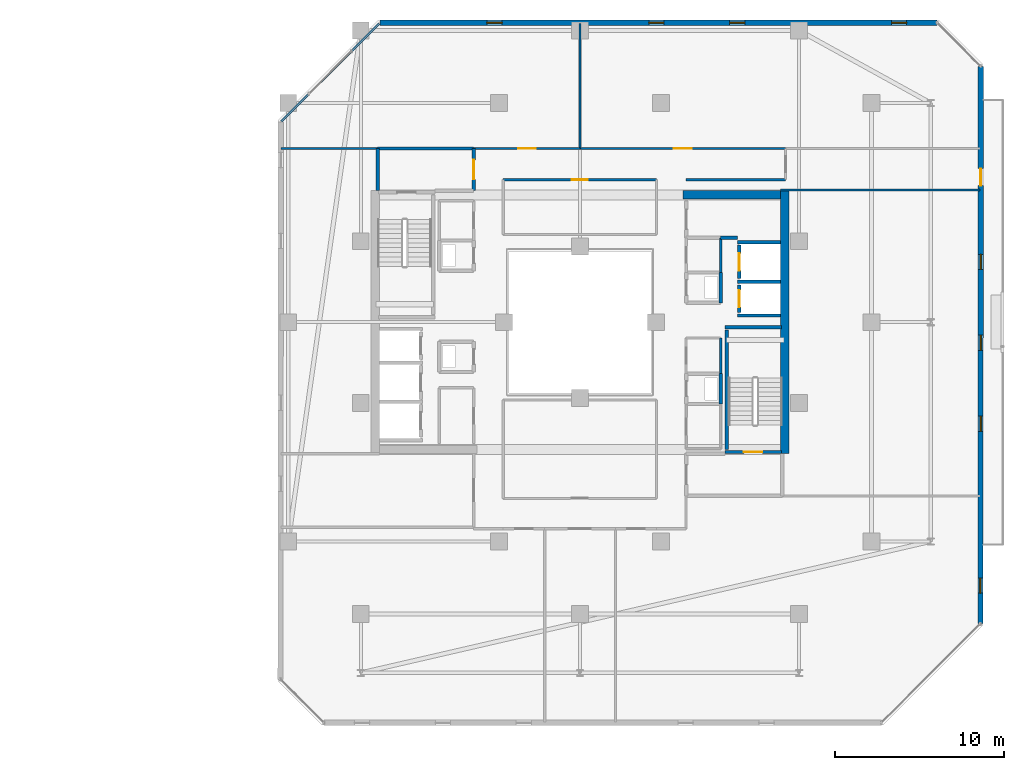
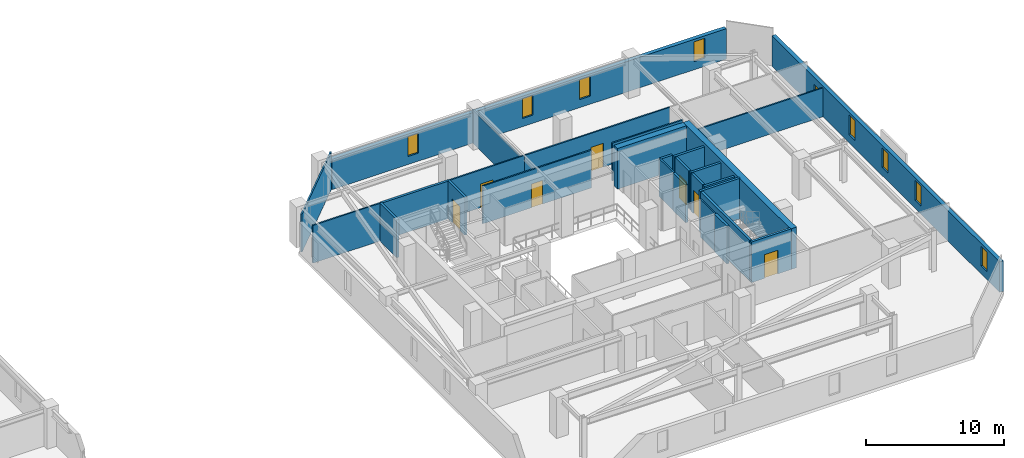
# One storey, part 23 of 31: 28 walls, 8 doors, 8 windows, 16 openings.
"""IFC4 building model written with IfcOpenShell, lengths in metres."""

from ifc_helpers import new_model, si_unit, direction, frame, frame_2d, origin, place, context, subcontext, project, spatial, rectangle, extrude, material, layer, layer_set, type_object, element, fill, save


model = new_model("IFC4")

# Units and contexts
model_context = context("Model", 3, precision=1e-05, world=origin(), true_north=direction((0.0, 1.0)))
body_context = subcontext(model_context, "Body", "Model", "MODEL_VIEW")
ifc_project = project(units=[si_unit("LENGTHUNIT", "METRE"), si_unit("AREAUNIT", "SQUARE_METRE"), si_unit("VOLUMEUNIT", "CUBIC_METRE"), si_unit("PLANEANGLEUNIT", "RADIAN"), si_unit("MASSUNIT", "GRAM", prefix="KILO")], contexts=[model_context])

# Site, building, storey
site_placement = place(None, origin())
site = spatial("IfcSite", under=ifc_project, at=site_placement, CompositionType="ELEMENT")
building_placement = place(site_placement, origin())
building = spatial("IfcBuilding", under=site, at=building_placement, Name="Thornwick Lancets Civic Towers", CompositionType="ELEMENT")
storey_placement = place(building_placement, frame((0.0, 0.0, 233.10009765625)))
storey = spatial("IfcBuildingStorey", under=building, at=storey_placement, Name="L62", CompositionType="ELEMENT", Elevation=233.10009765625)

# Wall, opening, door
ifc_material_1 = material(Name="Concrete blockwork C40/50", Category="masonry")
ifc_layer_1 = layer(ifc_material_1, 0.199951171875, Name="Concrete blockwork C40/50")
ifc_layer_set_1 = layer_set([ifc_layer_1], Name="Concrete blockwork C40/50")
wall_type_1 = type_object("IfcWallType", Name="WALL_COMP_200", PredefinedType="STANDARD", material=ifc_layer_set_1)
wall_1_placement = place(storey_placement, frame((97.949951171875, 29.219970703125, 0.0), z_axis=(0.0, 0.0, 1.0), x_axis=(0.0, -1.0, 0.0)))
wall_1 = element("IfcWall", 1, at=wall_1_placement, inside=storey, type_object=wall_type_1, Name="L62 Hoistway Front Wall FL-B1", PredefinedType="STANDARD", context=body_context, shape_type="SweptSolid", body=[
    extrude(rectangle(XDim=1.639892578125, YDim=0.199951171875, at=frame_2d((0.81982421875, 0.0))), origin(), (0.0, 0.0, 1.0), 3.33984375),
])
opening_1_placement = place(wall_1_placement, frame((0.31005859375, 0.0, 0.0)))
opening_1 = element("IfcOpeningElement", 2, at=opening_1_placement, cuts=wall_1, Name="Opening LD-FL-B1", PredefinedType="OPENING", context=body_context, shape_type="SweptSolid", body=[
    extrude(rectangle(XDim=1.02001953125, YDim=2.06005859375, at=frame_2d((0.510009765625, 1.030029296875))), frame((0.0, 0.10986328125, 0.0), z_axis=(0.0, -1.0, 0.0), x_axis=(1.0, 0.0, 0.0)), (0.0, 0.0, 1.0), 0.219970703125),
])
ifc_material_2 = material(Name="Brushed bronze stainless steel", Category="steel")
door_type_1 = type_object("IfcDoorType", Name="DOOR_LIFT_SLIDE", OperationType="SLIDING_TO_LEFT", PredefinedType="DOOR", material=ifc_material_2)
door_1_placement = place(opening_1_placement, origin())
door_1 = element("IfcDoor", 3, at=door_1_placement, inside=storey, type_object=door_type_1, Name="L62 Sliding Lift Landing Door LD-FL-B1", OperationType="SLIDING_TO_LEFT", OverallHeight=2.06005859375, OverallWidth=1.02001953125, PredefinedType="DOOR", context=body_context, shape_type="SweptSolid", body=[
    extrude(rectangle(XDim=1.02001953125, YDim=2.06005859375, at=frame_2d((0.510009765625, 1.030029296875))), frame((0.0, 0.02490234375, 0.0), z_axis=(0.0, -1.0, 0.0), x_axis=(1.0, 0.0, 0.0)), (0.0, 0.0, 1.0), 0.050048828125),
])
fill(opening_1, door_1)

wall_2_placement = place(storey_placement, frame((97.949951171875, 31.570068359375, 0.0), z_axis=(0.0, 0.0, 1.0), x_axis=(0.0, -1.0, 0.0)))
wall_2 = element("IfcWall", 4, at=wall_2_placement, inside=storey, type_object=wall_type_1, Name="L62 Hoistway Front Wall PL-BH1", PredefinedType="STANDARD", context=body_context, shape_type="SweptSolid", body=[
    extrude(rectangle(XDim=1.989990234375, YDim=0.199951171875, at=frame_2d((0.9951171875, 0.0))), origin(), (0.0, 0.0, 1.0), 3.33984375),
])
opening_2_placement = place(wall_2_placement, frame((0.485107421875, 0.0, 0.0)))
opening_2 = element("IfcOpeningElement", 5, at=opening_2_placement, cuts=wall_2, Name="Opening LD-PL-BH1", PredefinedType="OPENING", context=body_context, shape_type="SweptSolid", body=[
    extrude(rectangle(XDim=1.02001953125, YDim=2.06005859375, at=frame_2d((0.510009765625, 1.030029296875))), frame((0.0, 0.10986328125, 0.0), z_axis=(0.0, -1.0, 0.0), x_axis=(1.0, 0.0, 0.0)), (0.0, 0.0, 1.0), 0.219970703125),
])
door_2_placement = place(opening_2_placement, origin())
door_2 = element("IfcDoor", 6, at=door_2_placement, inside=storey, type_object=door_type_1, Name="L62 Sliding Lift Landing Door LD-PL-BH1", OperationType="SLIDING_TO_LEFT", OverallHeight=2.06005859375, OverallWidth=1.02001953125, PredefinedType="DOOR", context=body_context, shape_type="SweptSolid", body=[
    extrude(rectangle(XDim=1.02001953125, YDim=2.06005859375, at=frame_2d((0.510009765625, 1.030029296875))), frame((0.0, 0.02490234375, 0.0), z_axis=(0.0, -1.0, 0.0), x_axis=(1.0, 0.0, 0.0)), (0.0, 0.0, 1.0), 0.050048828125),
])
fill(opening_2, door_2)

# Walls
for number, where, z_axis, x_axis, name in (
    (7, (97.85205078125, 29.39990234375, 0.0), (0.0, 0.0, 1.0), (1.0, 0.0, 0.0), "L62 Hoistway Shaft Wall FL-B1 N"),
    (8, (97.85205078125, 27.39990234375, 0.0), (0.0, 0.0, 1.0), (1.0, 0.0, 0.0), "L62 Hoistway Shaft Wall FL-B1 S"),
    (9, (97.85205078125, 31.75, 0.0), (0.0, 0.0, 1.0), (1.0, 0.0, 0.0), "L62 Hoistway Shaft Wall PL-BH1 N"),
):
    element("IfcWall", number, at=place(storey_placement, frame(where, z_axis=z_axis, x_axis=x_axis)), inside=storey, type_object=wall_type_1, Name=name, PredefinedType="STANDARD", context=body_context, shape_type="SweptSolid", body=[
        extrude(rectangle(XDim=2.535888671875, YDim=0.199951171875, at=frame_2d((1.26806640625, 0.0))), origin(), (0.0, 0.0, 1.0), 3.33984375),
    ])

# Wall, opening, door
wall_3_placement = place(storey_placement, frame((82.199951171875, 34.800048828125, 0.0), z_axis=(0.0, 0.0, 1.0), x_axis=(0.0, 1.0, 0.0)))
wall_3 = element("IfcWall", 10, at=wall_3_placement, inside=storey, type_object=wall_type_1, Name="L62 Partition L62-B-FFLOB2 E2", PredefinedType="STANDARD", context=body_context, shape_type="SweptSolid", body=[
    extrude(rectangle(XDim=2.5, YDim=0.199951171875, at=frame_2d((1.25, 0.0))), origin(), (0.0, 0.0, 1.0), 3.33984375),
])
opening_3_placement = place(wall_3_placement, frame((0.675048828125, 0.0, 0.0)))
opening_3 = element("IfcOpeningElement", 11, at=opening_3_placement, cuts=wall_3, Name="Opening D-L62-2794", PredefinedType="OPENING", context=body_context, shape_type="SweptSolid", body=[
    extrude(rectangle(XDim=1.14990234375, YDim=2.10009765625, at=frame_2d((0.574951171875, 1.050048828125))), frame((0.0, 0.10986328125, 0.0), z_axis=(0.0, -1.0, 0.0), x_axis=(1.0, 0.0, 0.0)), (0.0, 0.0, 1.0), 0.219970703125),
])
ifc_material_3 = material(Name="Glazed fire-resisting steel", Category="steel")
door_type_2 = type_object("IfcDoorType", Name="DOOR_LOBBY_FD60", OperationType="NOTDEFINED", PredefinedType="DOOR", material=ifc_material_3)
door_3_placement = place(opening_3_placement, origin())
door_3 = element("IfcDoor", 12, at=door_3_placement, inside=storey, type_object=door_type_2, Name="L62 West Firefighting Lobby 2 Door", OperationType="SINGLE_SWING_LEFT", OverallHeight=2.10009765625, OverallWidth=1.14990234375, PredefinedType="DOOR", context=body_context, shape_type="SweptSolid", body=[
    extrude(rectangle(XDim=1.14990234375, YDim=2.10009765625, at=frame_2d((0.574951171875, 1.050048828125))), frame((0.0, 0.02490234375, 0.0), z_axis=(0.0, -1.0, 0.0), x_axis=(1.0, 0.0, 0.0)), (0.0, 0.0, 1.0), 0.050048828125),
])
fill(opening_3, door_3)

# Walls
wall_4_placement = place(storey_placement, frame((82.199951171875, 37.300048828125, 0.0), z_axis=(0.0, 0.0, 1.0), x_axis=(-1.0, 0.0, 0.0)))
element("IfcWall", 13, at=wall_4_placement, inside=storey, type_object=wall_type_1, Name="L62 Partition L62-B-FFLOB2 E3", PredefinedType="STANDARD", context=body_context, shape_type="SweptSolid", body=[
    extrude(rectangle(XDim=5.699951171875, YDim=0.199951171875, at=frame_2d((2.85009765625, 0.0))), origin(), (0.0, 0.0, 1.0), 3.33984375),
])
wall_5_placement = place(storey_placement, frame((76.5, 37.300048828125, 0.0), z_axis=(0.0, 0.0, 1.0), x_axis=(0.0, -1.0, 0.0)))
element("IfcWall", 14, at=wall_5_placement, inside=storey, type_object=wall_type_1, Name="L62 Partition L62-B-FFLOB2 E4", PredefinedType="STANDARD", context=body_context, shape_type="SweptSolid", body=[
    extrude(rectangle(XDim=2.5, YDim=0.199951171875, at=frame_2d((1.25, 0.0))), origin(), (0.0, 0.0, 1.0), 3.33984375),
])
for number, where, z_axis, x_axis, name in (
    (15, (96.85009765625, 28.14990234375, 0.0), (0.0, 0.0, 1.0), (0.0, 1.0, 0.0), "L62 Partition L62-B-DUCT1 E2"),
    (16, (96.85009765625, 22.14990234375, 0.0), (0.0, 0.0, 1.0), (0.0, 1.0, 0.0), "L62 Partition L62-B-RISER1 E2"),
):
    element("IfcWall", number, at=place(storey_placement, frame(where, z_axis=z_axis, x_axis=x_axis)), inside=storey, type_object=wall_type_1, Name=name, PredefinedType="STANDARD", context=body_context, shape_type="SweptSolid", body=[
        extrude(rectangle(XDim=1.800048828125, YDim=0.199951171875, at=frame_2d((0.89990234375, 0.0))), origin(), (0.0, 0.0, 1.0), 3.33984375),
    ])
wall_6_placement = place(storey_placement, frame((97.85205078125, 32.0, 0.0), z_axis=(0.0, 0.0, 1.0), x_axis=(-1.0, 0.0, 0.0)))
element("IfcWall", 17, at=wall_6_placement, inside=storey, type_object=wall_type_1, Name="L62 Partition L62-B-STR2 E4", PredefinedType="STANDARD", context=body_context, shape_type="SweptSolid", body=[
    extrude(rectangle(XDim=1.001953125, YDim=0.199951171875, at=frame_2d((0.5009765625, 0.0))), origin(), (0.0, 0.0, 1.0), 3.33984375),
])
ifc_material_4 = material(Name="Concrete C50/60", Category="concrete")
ifc_layer_2 = layer(ifc_material_4, 0.5, Name="Concrete C50/60")
ifc_layer_set_2 = layer_set([ifc_layer_2], Name="Concrete C50/60")
wall_type_2 = type_object("IfcWallType", Name="WALL_CORE_500", PredefinedType="SHEAR", material=ifc_layer_set_2)
wall_7_placement = place(storey_placement, frame((100.64990234375, 19.199951171875, 0.0), z_axis=(0.0, 0.0, 1.0), x_axis=(0.0, 1.0, 0.0)))
element("IfcWall", 18, at=wall_7_placement, inside=storey, type_object=wall_type_2, Name="L62 Split Core B1 Shear Wall E", PredefinedType="SHEAR", context=body_context, shape_type="SweptSolid", body=[
    extrude(rectangle(XDim=15.60009765625, YDim=0.5, at=frame_2d((7.800048828125, 0.0))), origin(), (0.0, 0.0, 1.0), 3.599853515625),
])
wall_8_placement = place(storey_placement, frame((94.60009765625, 34.550048828125, 0.0), z_axis=(0.0, 0.0, 1.0), x_axis=(1.0, 0.0, 0.0)))
element("IfcWall", 19, at=wall_8_placement, inside=storey, type_object=wall_type_2, Name="L62 Split Core B1 Shear Wall N", PredefinedType="SHEAR", context=body_context, shape_type="SweptSolid", body=[
    extrude(rectangle(XDim=5.7998046875, YDim=0.5, at=frame_2d((2.89990234375, 0.0))), origin(), (0.0, 0.0, 1.0), 3.599853515625),
])

# Wall, openings, door, windows
ifc_material_5 = material(Name="Insulated buff terracotta rainscreen on concrete C40/50", Category="masonry")
ifc_layer_3 = layer(ifc_material_5, 0.320068359375, Name="Insulated buff terracotta rainscreen on concrete C40/50")
ifc_layer_set_3 = layer_set([ifc_layer_3], Name="Insulated buff terracotta rainscreen on concrete C40/50")
wall_type_3 = type_object("IfcWallType", Name="WALL_EXT_TERRA_320", PredefinedType="STANDARD", material=ifc_layer_set_3)
wall_9_placement = place(storey_placement, frame((112.253662109375, 9.127685546875, 0.0), z_axis=(0.0, 0.0, 1.0), x_axis=(0.000332378036, 0.999999944762, 0.0)))
wall_9 = element("IfcWall", 20, at=wall_9_placement, inside=storey, type_object=wall_type_3, Name="L62 Tower B Terracotta Facade Wall E2", PredefinedType="STANDARD", context=body_context, shape_type="SweptSolid", body=[
    extrude(rectangle(XDim=33.0537109375, YDim=0.320068359375, at=frame_2d((16.52685546875, 0.0))), origin(), (0.0, 0.0, 1.0), 2.699951171875),
])
opening_4_placement = place(wall_9_placement, frame((25.976806640625, 0.0, 0.0)))
opening_4 = element("IfcOpeningElement", 21, at=opening_4_placement, cuts=wall_9, Name="Opening D-BL-L62-BE", PredefinedType="OPENING", context=body_context, shape_type="SweptSolid", body=[
    extrude(rectangle(XDim=1.0, YDim=2.080078125, at=frame_2d((0.5, 1.0400390625))), frame((0.0, 0.169921875, 0.0), z_axis=(0.0, -1.0, 0.0), x_axis=(1.0, 0.0, 0.0)), (0.0, 0.0, 1.0), 0.340087890625),
])
opening_5_placement = place(wall_9_placement, frame((1.800048828125, 0.0, 0.719970703125)))
opening_5 = element("IfcOpeningElement", 22, at=opening_5_placement, cuts=wall_9, Name="Opening WL-01", PredefinedType="OPENING", context=body_context, shape_type="SweptSolid", body=[
    extrude(rectangle(XDim=0.89990234375, YDim=1.75, at=frame_2d((0.449951171875, 0.875))), frame((0.0, 0.169921875, 0.0), z_axis=(0.0, -1.0, 0.0), x_axis=(1.0, 0.0, 0.0)), (0.0, 0.0, 1.0), 0.340087890625),
])
opening_6_placement = place(wall_9_placement, frame((11.39990234375, 0.0, 0.719970703125)))
opening_6 = element("IfcOpeningElement", 23, at=opening_6_placement, cuts=wall_9, Name="Opening WL-01", PredefinedType="OPENING", context=body_context, shape_type="SweptSolid", body=[
    extrude(rectangle(XDim=0.89990234375, YDim=1.75, at=frame_2d((0.449951171875, 0.875))), frame((0.0, 0.169921875, 0.0), z_axis=(0.0, -1.0, 0.0), x_axis=(1.0, 0.0, 0.0)), (0.0, 0.0, 1.0), 0.340087890625),
])
opening_7_placement = place(wall_9_placement, frame((16.199951171875, 0.0, 0.719970703125)))
opening_7 = element("IfcOpeningElement", 24, at=opening_7_placement, cuts=wall_9, Name="Opening WL-01", PredefinedType="OPENING", context=body_context, shape_type="SweptSolid", body=[
    extrude(rectangle(XDim=0.89990234375, YDim=1.75, at=frame_2d((0.449951171875, 0.875))), frame((0.0, 0.169921875, 0.0), z_axis=(0.0, -1.0, 0.0), x_axis=(1.0, 0.0, 0.0)), (0.0, 0.0, 1.0), 0.340087890625),
])
opening_8_placement = place(wall_9_placement, frame((21.0, 0.0, 0.719970703125)))
opening_8 = element("IfcOpeningElement", 25, at=opening_8_placement, cuts=wall_9, Name="Opening WL-01", PredefinedType="OPENING", context=body_context, shape_type="SweptSolid", body=[
    extrude(rectangle(XDim=0.89990234375, YDim=1.75, at=frame_2d((0.449951171875, 0.875))), frame((0.0, 0.169921875, 0.0), z_axis=(0.0, -1.0, 0.0), x_axis=(1.0, 0.0, 0.0)), (0.0, 0.0, 1.0), 0.340087890625),
])
ifc_material_6 = material(Name="Thermally broken glazed loggia doorset")
door_type_3 = type_object("IfcDoorType", Name="DOOR_BALC_1000", OperationType="NOTDEFINED", PredefinedType="DOOR", material=ifc_material_6)
door_4_placement = place(opening_4_placement, origin())
door_4 = element("IfcDoor", 26, at=door_4_placement, inside=storey, type_object=door_type_3, Name="L62 Tower B Loggia Balcony Door E", OperationType="SINGLE_SWING_LEFT", OverallHeight=2.080078125, OverallWidth=1.0, PredefinedType="DOOR", context=body_context, shape_type="SweptSolid", body=[
    extrude(rectangle(XDim=1.0, YDim=2.080078125, at=frame_2d((0.5, 1.0400390625))), frame((0.0, 0.02490234375, 0.0), z_axis=(0.0, -1.0, 0.0), x_axis=(1.0, 0.0, 0.0)), (0.0, 0.0, 1.0), 0.050048828125),
])
fill(opening_4, door_4)
ifc_material_7 = material(Name="Clear low-e double glazing in bronze frame", Category="glass")
window_type = type_object("IfcWindowType", Name="WIN_LANCET_900", PartitioningType="SINGLE_PANEL", PredefinedType="WINDOW", material=ifc_material_7)
window_1_placement = place(opening_5_placement, origin())
window_1 = element("IfcWindow", 27, at=window_1_placement, inside=storey, type_object=window_type, Name="L62 Tower B Staggered Lancet Window E2-1", OverallHeight=1.75, OverallWidth=0.89990234375, PartitioningType="SINGLE_PANEL", PredefinedType="WINDOW", context=body_context, shape_type="SweptSolid", body=[
    extrude(rectangle(XDim=0.89990234375, YDim=1.75, at=frame_2d((0.449951171875, 0.875))), frame((0.0, 0.030029296875, 0.0), z_axis=(0.0, -1.0, 0.0), x_axis=(1.0, 0.0, 0.0)), (0.0, 0.0, 1.0), 0.06005859375),
])
fill(opening_5, window_1)
window_2_placement = place(opening_6_placement, origin())
window_2 = element("IfcWindow", 28, at=window_2_placement, inside=storey, type_object=window_type, Name="L62 Tower B Staggered Lancet Window E2-2", OverallHeight=1.75, OverallWidth=0.89990234375, PartitioningType="SINGLE_PANEL", PredefinedType="WINDOW", context=body_context, shape_type="SweptSolid", body=[
    extrude(rectangle(XDim=0.89990234375, YDim=1.75, at=frame_2d((0.449951171875, 0.875))), frame((0.0, 0.030029296875, 0.0), z_axis=(0.0, -1.0, 0.0), x_axis=(1.0, 0.0, 0.0)), (0.0, 0.0, 1.0), 0.06005859375),
])
fill(opening_6, window_2)
window_3_placement = place(opening_7_placement, origin())
window_3 = element("IfcWindow", 29, at=window_3_placement, inside=storey, type_object=window_type, Name="L62 Tower B Staggered Lancet Window E2-3", OverallHeight=1.75, OverallWidth=0.89990234375, PartitioningType="SINGLE_PANEL", PredefinedType="WINDOW", context=body_context, shape_type="SweptSolid", body=[
    extrude(rectangle(XDim=0.89990234375, YDim=1.75, at=frame_2d((0.449951171875, 0.875))), frame((0.0, 0.030029296875, 0.0), z_axis=(0.0, -1.0, 0.0), x_axis=(1.0, 0.0, 0.0)), (0.0, 0.0, 1.0), 0.06005859375),
])
fill(opening_7, window_3)
window_4_placement = place(opening_8_placement, origin())
window_4 = element("IfcWindow", 30, at=window_4_placement, inside=storey, type_object=window_type, Name="L62 Tower B Staggered Lancet Window E2-4", OverallHeight=1.75, OverallWidth=0.89990234375, PartitioningType="SINGLE_PANEL", PredefinedType="WINDOW", context=body_context, shape_type="SweptSolid", body=[
    extrude(rectangle(XDim=0.89990234375, YDim=1.75, at=frame_2d((0.449951171875, 0.875))), frame((0.0, 0.030029296875, 0.0), z_axis=(0.0, -1.0, 0.0), x_axis=(1.0, 0.0, 0.0)), (0.0, 0.0, 1.0), 0.06005859375),
])
fill(opening_8, window_4)

# Wall, openings, windows
wall_10_placement = place(storey_placement, frame((109.681396484375, 44.7646484375, 0.0), z_axis=(0.0, 0.0, 1.0), x_axis=(-0.999999944762, -0.000332378036, 0.0)))
wall_10 = element("IfcWall", 31, at=wall_10_placement, inside=storey, type_object=wall_type_3, Name="L62 Tower B Terracotta Facade Wall E4", PredefinedType="STANDARD", context=body_context, shape_type="SweptSolid", body=[
    extrude(rectangle(XDim=33.0537109375, YDim=0.320068359375, at=frame_2d((16.52685546875, 0.0))), origin(), (0.0, 0.0, 1.0), 2.699951171875),
])
opening_9_placement = place(wall_10_placement, frame((1.800048828125, 0.0, 0.719970703125)))
opening_9 = element("IfcOpeningElement", 32, at=opening_9_placement, cuts=wall_10, Name="Opening WL-01", PredefinedType="OPENING", context=body_context, shape_type="SweptSolid", body=[
    extrude(rectangle(XDim=0.89990234375, YDim=1.75, at=frame_2d((0.449951171875, 0.875))), frame((0.0, 0.169921875, 0.0), z_axis=(0.0, -1.0, 0.0), x_axis=(1.0, 0.0, 0.0)), (0.0, 0.0, 1.0), 0.340087890625),
])
opening_10_placement = place(wall_10_placement, frame((11.39990234375, 0.0, 0.719970703125)))
opening_10 = element("IfcOpeningElement", 33, at=opening_10_placement, cuts=wall_10, Name="Opening WL-01", PredefinedType="OPENING", context=body_context, shape_type="SweptSolid", body=[
    extrude(rectangle(XDim=0.89990234375, YDim=1.75, at=frame_2d((0.449951171875, 0.875))), frame((0.0, 0.169921875, 0.0), z_axis=(0.0, -1.0, 0.0), x_axis=(1.0, 0.0, 0.0)), (0.0, 0.0, 1.0), 0.340087890625),
])
opening_11_placement = place(wall_10_placement, frame((16.199951171875, 0.0, 0.719970703125)))
opening_11 = element("IfcOpeningElement", 34, at=opening_11_placement, cuts=wall_10, Name="Opening WL-01", PredefinedType="OPENING", context=body_context, shape_type="SweptSolid", body=[
    extrude(rectangle(XDim=0.89990234375, YDim=1.75, at=frame_2d((0.449951171875, 0.875))), frame((0.0, 0.169921875, 0.0), z_axis=(0.0, -1.0, 0.0), x_axis=(1.0, 0.0, 0.0)), (0.0, 0.0, 1.0), 0.340087890625),
])
opening_12_placement = place(wall_10_placement, frame((25.800048828125, 0.0, 0.719970703125)))
opening_12 = element("IfcOpeningElement", 35, at=opening_12_placement, cuts=wall_10, Name="Opening WL-01", PredefinedType="OPENING", context=body_context, shape_type="SweptSolid", body=[
    extrude(rectangle(XDim=0.89990234375, YDim=1.75, at=frame_2d((0.449951171875, 0.875))), frame((0.0, 0.169921875, 0.0), z_axis=(0.0, -1.0, 0.0), x_axis=(1.0, 0.0, 0.0)), (0.0, 0.0, 1.0), 0.340087890625),
])
window_5_placement = place(opening_9_placement, origin())
window_5 = element("IfcWindow", 36, at=window_5_placement, inside=storey, type_object=window_type, Name="L62 Tower B Staggered Lancet Window E4-1", OverallHeight=1.75, OverallWidth=0.89990234375, PartitioningType="SINGLE_PANEL", PredefinedType="WINDOW", context=body_context, shape_type="SweptSolid", body=[
    extrude(rectangle(XDim=0.89990234375, YDim=1.75, at=frame_2d((0.449951171875, 0.875))), frame((0.0, 0.030029296875, 0.0), z_axis=(0.0, -1.0, 0.0), x_axis=(1.0, 0.0, 0.0)), (0.0, 0.0, 1.0), 0.06005859375),
])
fill(opening_9, window_5)
window_6_placement = place(opening_10_placement, origin())
window_6 = element("IfcWindow", 37, at=window_6_placement, inside=storey, type_object=window_type, Name="L62 Tower B Staggered Lancet Window E4-2", OverallHeight=1.75, OverallWidth=0.89990234375, PartitioningType="SINGLE_PANEL", PredefinedType="WINDOW", context=body_context, shape_type="SweptSolid", body=[
    extrude(rectangle(XDim=0.89990234375, YDim=1.75, at=frame_2d((0.449951171875, 0.875))), frame((0.0, 0.030029296875, 0.0), z_axis=(0.0, -1.0, 0.0), x_axis=(1.0, 0.0, 0.0)), (0.0, 0.0, 1.0), 0.06005859375),
])
fill(opening_10, window_6)
window_7_placement = place(opening_11_placement, origin())
window_7 = element("IfcWindow", 38, at=window_7_placement, inside=storey, type_object=window_type, Name="L62 Tower B Staggered Lancet Window E4-3", OverallHeight=1.75, OverallWidth=0.89990234375, PartitioningType="SINGLE_PANEL", PredefinedType="WINDOW", context=body_context, shape_type="SweptSolid", body=[
    extrude(rectangle(XDim=0.89990234375, YDim=1.75, at=frame_2d((0.449951171875, 0.875))), frame((0.0, 0.030029296875, 0.0), z_axis=(0.0, -1.0, 0.0), x_axis=(1.0, 0.0, 0.0)), (0.0, 0.0, 1.0), 0.06005859375),
])
fill(opening_11, window_7)
window_8_placement = place(opening_12_placement, origin())
window_8 = element("IfcWindow", 39, at=window_8_placement, inside=storey, type_object=window_type, Name="L62 Tower B Staggered Lancet Window E4-4", OverallHeight=1.75, OverallWidth=0.89990234375, PartitioningType="SINGLE_PANEL", PredefinedType="WINDOW", context=body_context, shape_type="SweptSolid", body=[
    extrude(rectangle(XDim=0.89990234375, YDim=1.75, at=frame_2d((0.449951171875, 0.875))), frame((0.0, 0.030029296875, 0.0), z_axis=(0.0, -1.0, 0.0), x_axis=(1.0, 0.0, 0.0)), (0.0, 0.0, 1.0), 0.06005859375),
])
fill(opening_12, window_8)

# Walls
ifc_material_8 = material(Name="Acoustic gypsum board partition")
ifc_layer_4 = layer(ifc_material_8, 0.1201171875, Name="Acoustic gypsum board partition")
ifc_layer_set_4 = layer_set([ifc_layer_4], Name="Acoustic gypsum board partition")
wall_type_4 = type_object("IfcWallType", Name="WALL_PART_120", PredefinedType="PARTITIONING", material=ifc_layer_set_4)
wall_11_placement = place(storey_placement, frame((96.85009765625, 26.050048828125, 0.0), z_axis=(0.0, 0.0, 1.0), x_axis=(0.0, -1.0, 0.0)))
element("IfcWall", 40, at=wall_11_placement, inside=storey, type_object=wall_type_4, Name="L62 Partition L62-B-ITR E3", PredefinedType="PARTITIONING", context=body_context, shape_type="SweptSolid", body=[
    extrude(rectangle(XDim=2.10009765625, YDim=0.1201171875, at=frame_2d((1.050048828125, 0.0))), origin(), (0.0, 0.0, 1.0), 3.33984375),
])
wall_12_placement = place(storey_placement, frame((94.800048828125, 35.449951171875, 0.0), z_axis=(0.0, 0.0, 1.0), x_axis=(1.0, 0.0, 0.0)))
element("IfcWall", 41, at=wall_12_placement, inside=storey, type_object=wall_type_4, Name="L62 Partition L62-B-RECLAIM-L E2", PredefinedType="PARTITIONING", context=body_context, shape_type="SweptSolid", body=[
    extrude(rectangle(XDim=5.89990234375, YDim=0.1201171875, at=frame_2d((2.949951171875, 0.0))), origin(), (0.0, 0.0, 1.0), 3.33984375),
])
wall_13_placement = place(storey_placement, frame((112.219970703125, 34.85009765625, 0.0), z_axis=(0.0, 0.0, 1.0), x_axis=(-1.0, 0.0, 0.0)))
element("IfcWall", 42, at=wall_13_placement, inside=storey, type_object=wall_type_4, Name="L62 Partition L62-B-RECLAIM-L E6", PredefinedType="PARTITIONING", context=body_context, shape_type="SweptSolid", body=[
    extrude(rectangle(XDim=11.820068359375, YDim=0.1201171875, at=frame_2d((5.91015625, 0.0))), origin(), (0.0, 0.0, 1.0), 2.544921875),
])

# Wall, opening, door
wall_14_placement = place(storey_placement, frame((100.699951171875, 37.300048828125, 0.0), z_axis=(0.0, 0.0, 1.0), x_axis=(-1.0, 0.0, 0.0)))
wall_14 = element("IfcWall", 43, at=wall_14_placement, inside=storey, type_object=wall_type_4, Name="L62 Partition L62-B-E1 E1", PredefinedType="PARTITIONING", context=body_context, shape_type="SweptSolid", body=[
    extrude(rectangle(XDim=12.199951171875, YDim=0.1201171875, at=frame_2d((6.10009765625, 0.0))), origin(), (0.0, 0.0, 1.0), 3.33984375),
])
opening_13_placement = place(wall_14_placement, frame((5.574951171875, 0.0, 0.0)))
opening_13 = element("IfcOpeningElement", 44, at=opening_13_placement, cuts=wall_14, Name="Opening D-L62-2820", PredefinedType="OPENING", context=body_context, shape_type="SweptSolid", body=[
    extrude(rectangle(XDim=1.050048828125, YDim=2.10009765625, at=frame_2d((0.52490234375, 1.050048828125))), frame((0.0, 0.070068359375, 0.0), z_axis=(0.0, -1.0, 0.0), x_axis=(1.0, 0.0, 0.0)), (0.0, 0.0, 1.0), 0.14013671875),
])
ifc_material_9 = material(Name="Glazed European oak executive doorset")
door_type_4 = type_object("IfcDoorType", Name="DOOR_OFFICE_1050", OperationType="NOTDEFINED", PredefinedType="DOOR", material=ifc_material_9)
door_5_placement = place(opening_13_placement, origin())
door_5 = element("IfcDoor", 45, at=door_5_placement, inside=storey, type_object=door_type_4, Name="L62 Tower B Secretariat Open Office E1 Door", OperationType="SINGLE_SWING_LEFT", OverallHeight=2.10009765625, OverallWidth=1.050048828125, PredefinedType="DOOR", context=body_context, shape_type="SweptSolid", body=[
    extrude(rectangle(XDim=1.050048828125, YDim=2.10009765625, at=frame_2d((0.52490234375, 1.050048828125))), frame((0.0, 0.02490234375, 0.0), z_axis=(0.0, -1.0, 0.0), x_axis=(1.0, 0.0, 0.0)), (0.0, 0.0, 1.0), 0.050048828125),
])
fill(opening_13, door_5)

# Walls
wall_15_placement = place(storey_placement, frame((88.5, 37.300048828125, 0.0), z_axis=(0.0, 0.0, 1.0), x_axis=(0.0, 1.0, 0.0)))
element("IfcWall", 46, at=wall_15_placement, inside=storey, type_object=wall_type_4, Name="L62 Partition L62-B-E1 E2", PredefinedType="PARTITIONING", context=body_context, shape_type="SweptSolid", body=[
    extrude(rectangle(XDim=7.419921875, YDim=0.1201171875, at=frame_2d((3.7099609375, 0.0))), origin(), (0.0, 0.0, 1.0), 2.93212890625),
])
wall_16_placement = place(storey_placement, frame((76.5, 37.300048828125, 0.0), z_axis=(0.0, 0.0, 1.0), x_axis=(-1.0, 0.0, 0.0)))
element("IfcWall", 47, at=wall_16_placement, inside=storey, type_object=wall_type_4, Name="L62 Partition L62-B-E2 E2", PredefinedType="PARTITIONING", context=body_context, shape_type="SweptSolid", body=[
    extrude(rectangle(XDim=5.719970703125, YDim=0.1201171875, at=frame_2d((2.85986328125, 0.0))), origin(), (0.0, 0.0, 1.0), 3.33984375),
])
wall_17_placement = place(storey_placement, frame((70.780029296875, 38.90234375, 0.0), z_axis=(0.0, 0.0, 1.0), x_axis=(0.707106781187, 0.707106781187, 0.0)))
element("IfcWall", 48, at=wall_17_placement, inside=storey, type_object=wall_type_4, Name="L62 Partition L62-B-E2 E4", PredefinedType="PARTITIONING", context=body_context, shape_type="SweptSolid", body=[
    extrude(rectangle(XDim=8.227294921875, YDim=0.1201171875, at=frame_2d((4.11376953125, 0.0))), origin(), (0.0, 0.0, 1.0), 3.33984375),
])

# Wall, opening, door
wall_18_placement = place(storey_placement, frame((88.5, 37.300048828125, 0.0), z_axis=(0.0, 0.0, 1.0), x_axis=(-1.0, 0.0, 0.0)))
wall_18 = element("IfcWall", 49, at=wall_18_placement, inside=storey, type_object=wall_type_4, Name="L62 Partition L62-B-E2 E7", PredefinedType="PARTITIONING", context=body_context, shape_type="SweptSolid", body=[
    extrude(rectangle(XDim=6.300048828125, YDim=0.1201171875, at=frame_2d((3.14990234375, 0.0))), origin(), (0.0, 0.0, 1.0), 3.33984375),
])
opening_14_placement = place(wall_18_placement, frame((2.625, 0.0, 0.0)))
opening_14 = element("IfcOpeningElement", 50, at=opening_14_placement, cuts=wall_18, Name="Opening D-L62-2821", PredefinedType="OPENING", context=body_context, shape_type="SweptSolid", body=[
    extrude(rectangle(XDim=1.050048828125, YDim=2.10009765625, at=frame_2d((0.52490234375, 1.050048828125))), frame((0.0, 0.070068359375, 0.0), z_axis=(0.0, -1.0, 0.0), x_axis=(1.0, 0.0, 0.0)), (0.0, 0.0, 1.0), 0.14013671875),
])
door_6_placement = place(opening_14_placement, origin())
door_6 = element("IfcDoor", 51, at=door_6_placement, inside=storey, type_object=door_type_4, Name="L62 Tower B Visitors Reception and Waiting Door", OperationType="SINGLE_SWING_RIGHT", OverallHeight=2.10009765625, OverallWidth=1.050048828125, PredefinedType="DOOR", context=body_context, shape_type="SweptSolid", body=[
    extrude(rectangle(XDim=1.050048828125, YDim=2.10009765625, at=frame_2d((0.52490234375, 1.050048828125))), frame((0.0, 0.02490234375, 0.0), z_axis=(0.0, -1.0, 0.0), x_axis=(1.0, 0.0, 0.0)), (0.0, 0.0, 1.0), 0.050048828125),
])
fill(opening_14, door_6)

wall_19_placement = place(storey_placement, frame((83.949951171875, 35.449951171875, 0.0), z_axis=(0.0, 0.0, 1.0), x_axis=(1.0, 0.0, 0.0)))
wall_19 = element("IfcWall", 52, at=wall_19_placement, inside=storey, type_object=wall_type_4, Name="L62 Partition L62-B-E-ATRIUM-OFF E2", PredefinedType="PARTITIONING", context=body_context, shape_type="SweptSolid", body=[
    extrude(rectangle(XDim=9.10009765625, YDim=0.1201171875, at=frame_2d((4.550048828125, 0.0))), origin(), (0.0, 0.0, 1.0), 3.33984375),
])
opening_15_placement = place(wall_19_placement, frame((4.074951171875, 0.0, 0.0)))
opening_15 = element("IfcOpeningElement", 53, at=opening_15_placement, cuts=wall_19, Name="Opening D-L62-2822", PredefinedType="OPENING", context=body_context, shape_type="SweptSolid", body=[
    extrude(rectangle(XDim=0.949951171875, YDim=2.10009765625, at=frame_2d((0.47509765625, 1.050048828125))), frame((0.0, 0.070068359375, 0.0), z_axis=(0.0, -1.0, 0.0), x_axis=(1.0, 0.0, 0.0)), (0.0, 0.0, 1.0), 0.14013671875),
])
ifc_material_10 = material(Name="European oak acoustic doorset")
door_type_5 = type_object("IfcDoorType", Name="DOOR_OFFICE_950", OperationType="NOTDEFINED", PredefinedType="DOOR", material=ifc_material_10)
door_7_placement = place(opening_15_placement, origin())
door_7 = element("IfcDoor", 54, at=door_7_placement, inside=storey, type_object=door_type_5, Name="L62 Tower B Atrium Policy Office Door", OperationType="SINGLE_SWING_LEFT", OverallHeight=2.10009765625, OverallWidth=0.949951171875, PredefinedType="DOOR", context=body_context, shape_type="SweptSolid", body=[
    extrude(rectangle(XDim=0.949951171875, YDim=2.10009765625, at=frame_2d((0.47509765625, 1.050048828125))), frame((0.0, 0.02490234375, 0.0), z_axis=(0.0, -1.0, 0.0), x_axis=(1.0, 0.0, 0.0)), (0.0, 0.0, 1.0), 0.050048828125),
])
fill(opening_15, door_7)

# Wall
ifc_material_11 = material(Name="Twin-stud acoustic gypsum board")
ifc_layer_5 = layer(ifc_material_11, 0.14990234375, Name="Twin-stud acoustic gypsum board")
ifc_layer_set_5 = layer_set([ifc_layer_5], Name="Twin-stud acoustic gypsum board")
wall_type_5 = type_object("IfcWallType", Name="WALL_PART_150", PredefinedType="PARTITIONING", material=ifc_layer_set_5)
wall_20_placement = place(storey_placement, frame((96.85009765625, 32.0, 0.0), z_axis=(0.0, 0.0, 1.0), x_axis=(0.0, -1.0, 0.0)))
element("IfcWall", 55, at=wall_20_placement, inside=storey, type_object=wall_type_5, Name="L62 Partition L62-B-AWC E3", PredefinedType="PARTITIONING", context=body_context, shape_type="SweptSolid", body=[
    extrude(rectangle(XDim=2.050048828125, YDim=0.14990234375, at=frame_2d((1.02490234375, 0.0))), origin(), (0.0, 0.0, 1.0), 3.33984375),
])

# Wall, opening, door
ifc_material_12 = material(Name="Concrete C40/50", Category="concrete")
ifc_layer_6 = layer(ifc_material_12, 0.199951171875, Name="Concrete C40/50")
ifc_layer_set_6 = layer_set([ifc_layer_6], Name="Concrete C40/50")
wall_type_6 = type_object("IfcWallType", Name="WALL_SHAFT_200", PredefinedType="SHEAR", material=ifc_layer_set_6)
wall_21_placement = place(storey_placement, frame((100.449951171875, 19.300048828125, 0.0), z_axis=(0.0, 0.0, 1.0), x_axis=(-1.0, 0.0, 0.0)))
wall_21 = element("IfcWall", 56, at=wall_21_placement, inside=storey, type_object=wall_type_6, Name="L62 ST-B1 Fire Stair Core Wall NEAR", PredefinedType="SHEAR", context=body_context, shape_type="SweptSolid", body=[
    extrude(rectangle(XDim=3.349853515625, YDim=0.199951171875, at=frame_2d((1.6748046875, 0.0))), origin(), (0.0, 0.0, 1.0), 3.599853515625),
])
opening_16_placement = place(wall_21_placement, frame((1.125, 0.0, 0.0)))
opening_16 = element("IfcOpeningElement", 57, at=opening_16_placement, cuts=wall_21, Name="Opening D-ST-B1-L62", PredefinedType="OPENING", context=body_context, shape_type="SweptSolid", body=[
    extrude(rectangle(XDim=1.10009765625, YDim=2.10009765625, at=frame_2d((0.550048828125, 1.050048828125))), frame((0.0, 0.10986328125, 0.0), z_axis=(0.0, -1.0, 0.0), x_axis=(1.0, 0.0, 0.0)), (0.0, 0.0, 1.0), 0.219970703125),
])
ifc_material_13 = material(Name="Fire-resisting steel and hardwood", Category="steel")
door_type_6 = type_object("IfcDoorType", Name="DOOR_STAIR_FD60", OperationType="NOTDEFINED", PredefinedType="DOOR", material=ifc_material_13)
door_8_placement = place(opening_16_placement, origin())
door_8 = element("IfcDoor", 58, at=door_8_placement, inside=storey, type_object=door_type_6, Name="L62 ST-B1 Exit Stair Door", OperationType="SINGLE_SWING_RIGHT", OverallHeight=2.10009765625, OverallWidth=1.10009765625, PredefinedType="DOOR", context=body_context, shape_type="SweptSolid", body=[
    extrude(rectangle(XDim=1.10009765625, YDim=2.10009765625, at=frame_2d((0.550048828125, 1.050048828125))), frame((0.0, 0.02490234375, 0.0), z_axis=(0.0, -1.0, 0.0), x_axis=(1.0, 0.0, 0.0)), (0.0, 0.0, 1.0), 0.050048828125),
])
fill(opening_16, door_8)

# Walls
wall_22_placement = place(storey_placement, frame((97.10009765625, 26.699951171875, 0.0), z_axis=(0.0, 0.0, 1.0), x_axis=(1.0, 0.0, 0.0)))
element("IfcWall", 59, at=wall_22_placement, inside=storey, type_object=wall_type_6, Name="L62 ST-B1 Fire Stair Core Wall FAR", PredefinedType="SHEAR", context=body_context, shape_type="SweptSolid", body=[
    extrude(rectangle(XDim=3.349853515625, YDim=0.199951171875, at=frame_2d((1.6748046875, 0.0))), origin(), (0.0, 0.0, 1.0), 3.599853515625),
])
wall_23_placement = place(storey_placement, frame((97.202880859375, 26.550048828125, 0.0), z_axis=(0.0, 0.0, 1.0), x_axis=(0.0, -1.0, 0.0)))
element("IfcWall", 60, at=wall_23_placement, inside=storey, type_object=wall_type_6, Name="L62 ST-B1 Fire Stair Core Wall RIGHT", PredefinedType="SHEAR", context=body_context, shape_type="SweptSolid", body=[
    extrude(rectangle(XDim=7.10009765625, YDim=0.199951171875, at=frame_2d((3.550048828125, 0.0))), origin(), (0.0, 0.0, 1.0), 3.599853515625),
])

save(model, "model.ifc")
